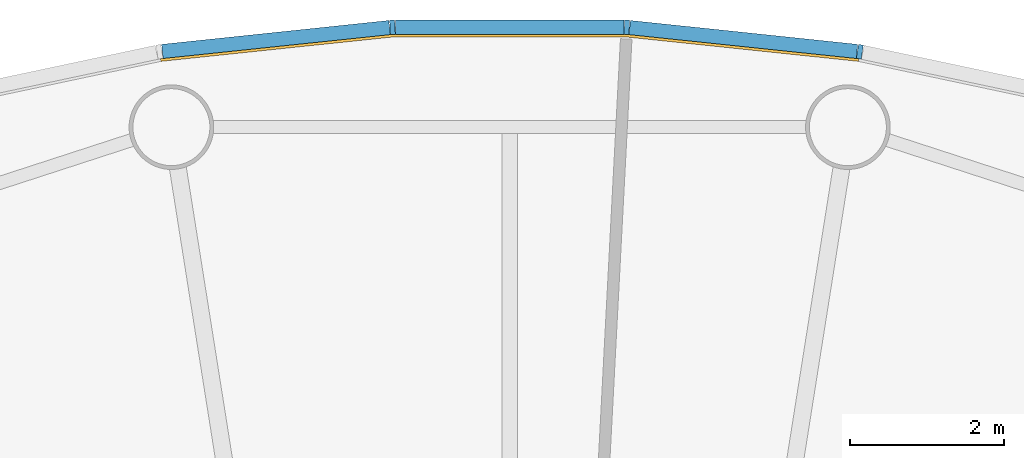
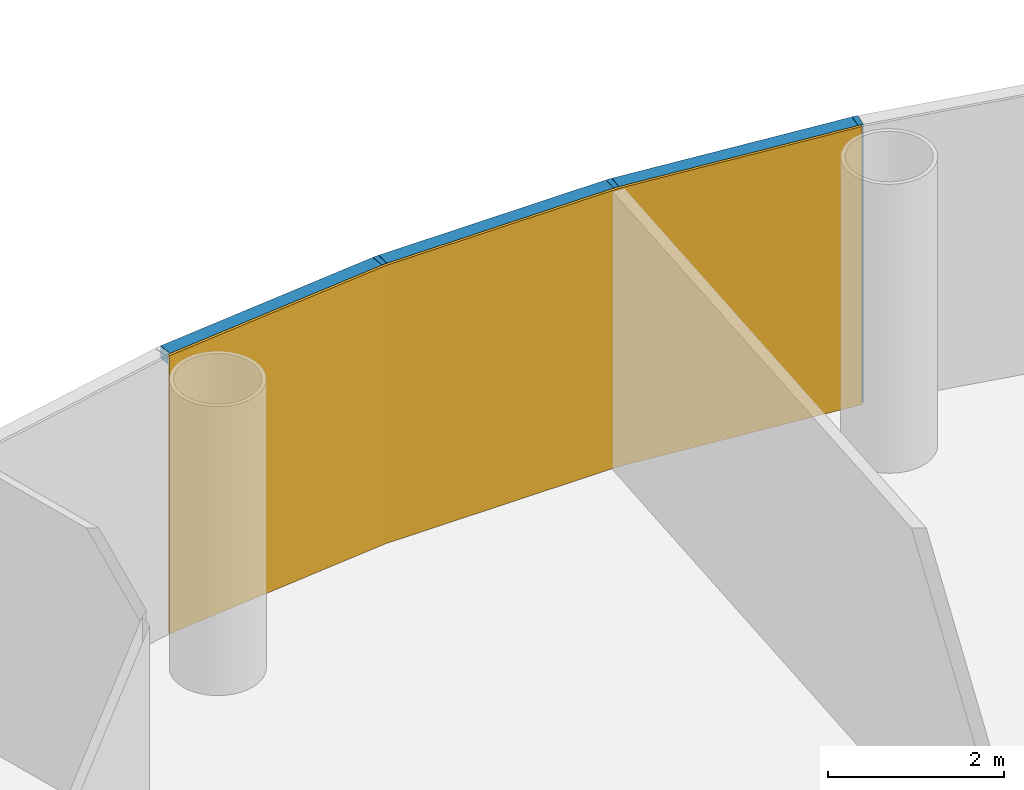
# One storey, part 11 of 13: 6 members, 1 curtain wall.
"""IFC4 building model written with IfcOpenShell, lengths in metres."""

from ifc_helpers import new_model, si_unit, direction, frame, origin, origin_2d, place, context, subcontext, project, spatial, polyline, rectangle, outline, extrude, material, layer, layer_set, material_profile, profile_set, type_object, element, aggregate, save


model = new_model("IFC4")

# Units and contexts
model_context = context("Model", 3, precision=1e-05, world=origin(), true_north=direction((0.0, 1.0)))
body_context = subcontext(model_context, "Body", "Model", "MODEL_VIEW")
ifc_project = project(units=[si_unit("LENGTHUNIT", "METRE"), si_unit("AREAUNIT", "SQUARE_METRE"), si_unit("VOLUMEUNIT", "CUBIC_METRE"), si_unit("PLANEANGLEUNIT", "RADIAN"), si_unit("MASSUNIT", "GRAM", prefix="KILO")], contexts=[model_context])

# Member
ifc_material_1 = material(Name="Anodised aluminium", Category="aluminium")
ifc_material_profile_1 = material_profile(ifc_material_1, rectangle(XDim=0.06494140625, YDim=0.18505859375, at=origin_2d()), Name="Mullion 65 x 185 mm anodised aluminium")
ifc_profile_set_1 = profile_set([ifc_material_profile_1], Name="Anodised aluminium")
member_type_1 = type_object("IfcMemberType", Name="Mullion 65 x 185 mm anodised aluminium", PredefinedType="MULLION", material=ifc_profile_set_1)
site_placement = place(None, origin())
building_placement = place(site_placement, origin())
storey_placement = place(building_placement, frame((0.0, 0.0, 156.0)))
member_1_placement = place(storey_placement, frame((94.551025390625, 108.734375, 0.0), z_axis=(0.0, 0.0, 1.0), x_axis=(-0.987688340595, 0.15643446504, 0.0)))
member_1 = element("IfcMember", 1, at=member_1_placement, type_object=member_type_1, Name="MULLION L35-12", PredefinedType="MULLION", context=body_context, shape_type="SweptSolid", body=[
    extrude(rectangle(XDim=0.06494140625, YDim=0.18505859375, at=origin_2d()), origin(), (0.0, 0.0, 1.0), 3.85009765625),
])

member_2_placement = place(storey_placement, frame((91.522705078125, 109.052734375, 0.0), z_axis=(0.0, 0.0, 1.0), x_axis=(-0.998629534755, 0.052335956243, 0.0)))
member_2 = element("IfcMember", 2, at=member_2_placement, type_object=member_type_1, Name="MULLION L35-13", PredefinedType="MULLION", context=body_context, shape_type="SweptSolid", body=[
    extrude(rectangle(XDim=0.06494140625, YDim=0.18505859375, at=origin_2d()), origin(), (0.0, 0.0, 1.0), 3.85009765625),
])

member_3_placement = place(storey_placement, frame((88.477294921875, 109.052734375, 0.0), z_axis=(0.0, 0.0, 1.0), x_axis=(-0.998629534755, -0.052335956243, 0.0)))
member_3 = element("IfcMember", 3, at=member_3_placement, type_object=member_type_1, Name="MULLION L35-14", PredefinedType="MULLION", context=body_context, shape_type="SweptSolid", body=[
    extrude(rectangle(XDim=0.06494140625, YDim=0.18505859375, at=origin_2d()), origin(), (0.0, 0.0, 1.0), 3.85009765625),
])

ifc_material_2 = material(Name="Anodised aluminium", Category="aluminium")
ifc_material_profile_2 = material_profile(ifc_material_2, rectangle(XDim=0.18505859375, YDim=0.175048828125, at=origin_2d()), Name="Transom 175 x 185 mm anodised aluminium")
ifc_profile_set_2 = profile_set([ifc_material_profile_2], Name="Anodised aluminium")
member_type_2 = type_object("IfcMemberType", Name="Transom 175 x 185 mm anodised aluminium", PredefinedType="USERDEFINED", material=ifc_profile_set_2)
member_4_placement = place(storey_placement, frame((94.513916015625, 108.73828125, 3.762451171875), z_axis=(-0.994519855197, 0.104547872381, 0.0), x_axis=(-0.104547872381, -0.994519855197, 0.0)))
member_4 = element("IfcMember", 4, at=member_4_placement, type_object=member_type_2, Name="TRANSOM L35-12", ObjectType="TRANSOM", PredefinedType="USERDEFINED", context=body_context, shape_type="SweptSolid", body=[
    extrude(rectangle(XDim=0.18505859375, YDim=0.175048828125, at=origin_2d()), origin(), (0.0, 0.0, 1.0), 2.970458984375),
])

member_5_placement = place(storey_placement, frame((91.4853515625, 109.052734375, 3.762451171875), z_axis=(-1.0, 0.0, 0.0), x_axis=(0.0, -1.0, 0.0)))
member_5 = element("IfcMember", 5, at=member_5_placement, type_object=member_type_2, Name="TRANSOM L35-13", ObjectType="TRANSOM", PredefinedType="USERDEFINED", context=body_context, shape_type="SweptSolid", body=[
    extrude(rectangle(XDim=0.18505859375, YDim=0.175048828125, at=origin_2d()), origin(), (0.0, 0.0, 1.0), 2.970703125),
])

member_6_placement = place(storey_placement, frame((88.440185546875, 109.048828125, 3.762451171875), z_axis=(-0.994519855197, -0.104547872381, 0.0), x_axis=(0.104547872381, -0.994519855197, 0.0)))
member_6 = element("IfcMember", 6, at=member_6_placement, type_object=member_type_2, Name="TRANSOM L35-14", ObjectType="TRANSOM", PredefinedType="USERDEFINED", context=body_context, shape_type="SweptSolid", body=[
    extrude(rectangle(XDim=0.18505859375, YDim=0.175048828125, at=origin_2d()), origin(), (0.0, 0.0, 1.0), 2.970458984375),
])

# Site, building, storey
site = spatial("IfcSite", under=ifc_project, at=site_placement, CompositionType="ELEMENT")
building = spatial("IfcBuilding", under=site, at=building_placement, Name="Entoto Ring Tower", CompositionType="ELEMENT")
storey = spatial("IfcBuildingStorey", under=building, at=storey_placement, Name="L35", CompositionType="ELEMENT", Elevation=156.0)

# Curtain wall
ifc_material_3 = material(Name="Clear low-iron glass", Category="glass")
ifc_layer = layer(ifc_material_3, 0.033935546875)
ifc_layer_set = layer_set([ifc_layer], Name="Clear low-iron glass")
curtain_wall_type = type_object("IfcCurtainWallType", Name="Curtain wall system CW3 glazing 34 mm", PredefinedType="NOTDEFINED", material=ifc_layer_set)
curtain_wall_placement = place(storey_placement, origin())
curtain_wall = element("IfcCurtainWall", 7, at=curtain_wall_placement, inside=storey, type_object=curtain_wall_type, Name="CW3 L35-05", PredefinedType="NOTDEFINED", context=body_context, shape_type="SweptSolid", body=[
    extrude(outline(polyline([(94.53662109375, 108.64306640625), (91.517822265625, 108.960205078125), (88.482177734375, 108.960205078125), (85.46337890625, 108.64306640625), (85.46875, 108.609375), (88.484130859375, 108.92626953125), (91.515869140625, 108.92626953125), (94.53125, 108.609375), (94.53662109375, 108.64306640625)])), origin(), (0.0, 0.0, 1.0), 3.85009765625),
])

aggregate(curtain_wall, [member_1, member_2, member_3, member_4, member_5, member_6])

save(model, "model.ifc")
